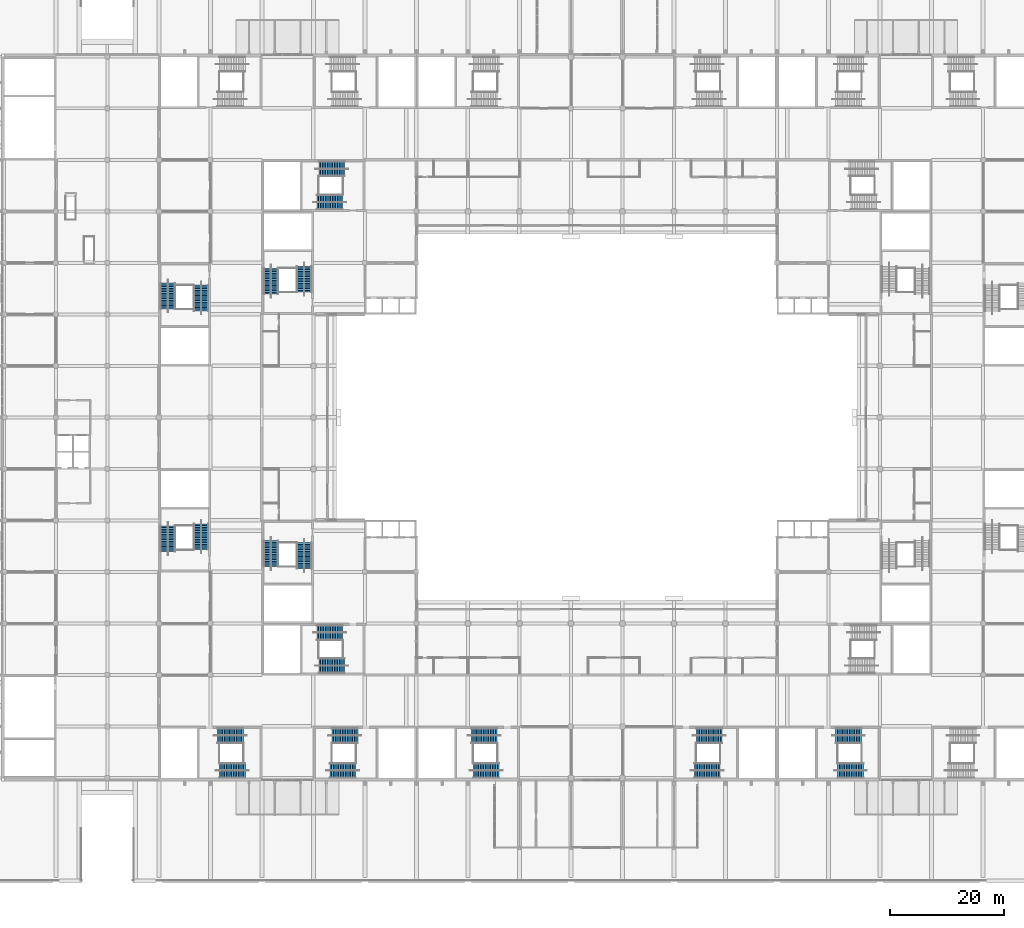
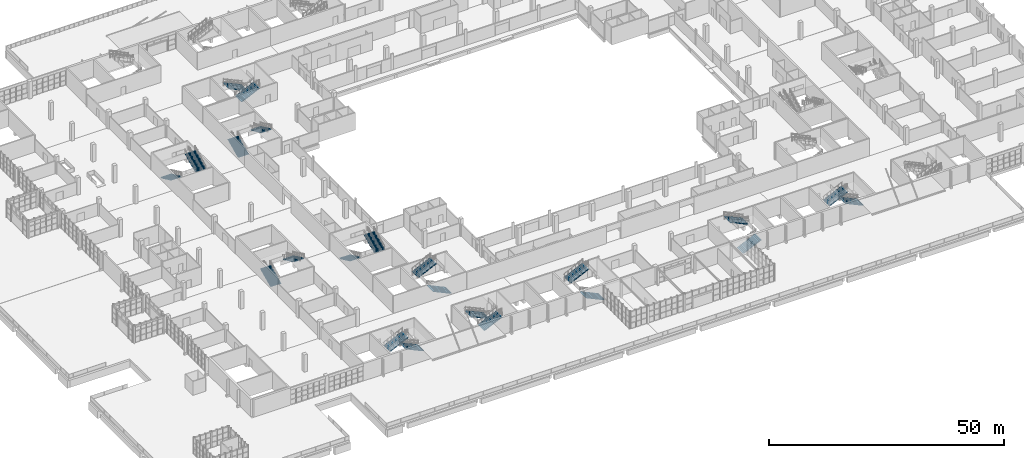
# One storey, part 109 of 168: 22 stair flights, 11 elements without a shape of their own.
"""IFC4 building model written with IfcOpenShell, lengths in metres."""

from ifc_helpers import new_model, si_unit, direction, frame, origin, place, context, subcontext, project, spatial, polyline, outline, extrude, material, type_object, element, aggregate, save


model = new_model("IFC4")

# Units and contexts
model_context = context("Model", 3, precision=1e-05, world=origin(), true_north=direction((0.0, 1.0)))
body_context = subcontext(model_context, "Body", "Model", "MODEL_VIEW")
ifc_project = project(units=[si_unit("LENGTHUNIT", "METRE"), si_unit("AREAUNIT", "SQUARE_METRE"), si_unit("VOLUMEUNIT", "CUBIC_METRE"), si_unit("PLANEANGLEUNIT", "RADIAN"), si_unit("MASSUNIT", "GRAM", prefix="KILO")], contexts=[model_context])

# Site, building, storey
site_placement = place(None, origin())
site = spatial("IfcSite", under=ifc_project, at=site_placement, CompositionType="ELEMENT")
building_placement = place(site_placement, origin())
building = spatial("IfcBuilding", under=site, at=building_placement, Name="Silverbay Arena", CompositionType="ELEMENT")
storey_placement = place(building_placement, frame((0.0, 0.0, 7.0)))
storey = spatial("IfcBuildingStorey", under=building, at=storey_placement, Name="L01", CompositionType="ELEMENT", Elevation=7.0)

# Stair, stair flights
ifc_material_1 = material(Name="Concrete Grade C45", Category="concrete")
stair_type = type_object("IfcStairType", Name="Stair 2600 wide 32 risers 140.6 x 300", PredefinedType="HALF_TURN_STAIR", material=ifc_material_1)
stair_1_placement = place(storey_placement, origin())
stair_1 = element("IfcStair", 1, at=stair_1_placement, inside=storey, type_object=stair_type, Name="Stair ST-S1 L01 to L02", PredefinedType="HALF_TURN_STAIR")
ifc_material_2 = material(Name="Concrete Grade C45", Category="concrete")
stair_flight_type = type_object("IfcStairFlightType", Name="Stair flight 2600 wide 16 risers 140.6 x 300", PredefinedType="STRAIGHT", material=ifc_material_2)
stair_flight_1_placement = place(storey_placement, frame((88.75341796875, 25.39990234375, 0.0), z_axis=(0.0, 0.0, 1.0), x_axis=(-1.0, 0.0, 0.0)))
stair_flight_1 = element("IfcStairFlight", 2, at=stair_flight_1_placement, type_object=stair_flight_type, Name="Stair ST-S1 L01 to L02 flight 1", NumberOfRisers=16, NumberOfTreads=15, PredefinedType="STRAIGHT", RiserHeight=0.140625, TreadLength=0.3, context=body_context, shape_type="SweptSolid", body=[
    extrude(outline(polyline([(0.0, 0.0), (0.0, 0.140625), (0.300048828125, 0.140625), (0.300048828125, 0.28125), (0.60009765625, 0.28125), (0.60009765625, 0.421875), (0.89990234375, 0.421875), (0.89990234375, 0.5625), (1.199951171875, 0.5625), (1.199951171875, 0.703125), (1.5, 0.703125), (1.5, 0.84375), (1.800048828125, 0.84375), (1.800048828125, 0.984375), (2.10009765625, 0.984375), (2.10009765625, 1.125), (2.39990234375, 1.125), (2.39990234375, 1.265625), (2.699951171875, 1.265625), (2.699951171875, 1.40625), (3.0, 1.40625), (3.0, 1.546875), (3.300048828125, 1.546875), (3.300048828125, 1.6875), (3.60009765625, 1.6875), (3.60009765625, 1.828125), (3.89990234375, 1.828125), (3.89990234375, 1.96875), (4.199951171875, 1.96875), (4.199951171875, 2.109375), (4.5, 2.109375), (4.5, 1.94384765625), (0.353271484375, 0.0), (0.0, 0.0)])), frame((0.0, 1.300048828125, 0.0), z_axis=(0.0, -1.0, 0.0), x_axis=(1.0, 0.0, 0.0)), (0.0, 0.0, 1.0), 2.60009765625),
])
stair_flight_2_placement = place(storey_placement, frame((83.89990234375, 19.300048828125, 2.25), z_axis=(0.0, 0.0, 1.0), x_axis=(1.0, 0.0, 0.0)))
stair_flight_2 = element("IfcStairFlight", 3, at=stair_flight_2_placement, type_object=stair_flight_type, Name="Stair ST-S1 L01 to L02 flight 2", NumberOfRisers=16, NumberOfTreads=15, PredefinedType="STRAIGHT", RiserHeight=0.140625, TreadLength=0.3, context=body_context, shape_type="SweptSolid", body=[
    extrude(outline(polyline([(0.0, 0.0), (0.0, 0.140625), (0.300048828125, 0.140625), (0.300048828125, 0.28125), (0.60009765625, 0.28125), (0.60009765625, 0.421875), (0.89990234375, 0.421875), (0.89990234375, 0.5625), (1.199951171875, 0.5625), (1.199951171875, 0.703125), (1.5, 0.703125), (1.5, 0.84375), (1.800048828125, 0.84375), (1.800048828125, 0.984375), (2.10009765625, 0.984375), (2.10009765625, 1.125), (2.39990234375, 1.125), (2.39990234375, 1.265625), (2.699951171875, 1.265625), (2.699951171875, 1.40625), (3.0, 1.40625), (3.0, 1.546875), (3.300048828125, 1.546875), (3.300048828125, 1.6875), (3.60009765625, 1.6875), (3.60009765625, 1.828125), (3.89990234375, 1.828125), (3.89990234375, 1.96875), (4.199951171875, 1.96875), (4.199951171875, 2.109375), (4.5, 2.109375), (4.5, 1.94384765625), (0.353271484375, 0.0), (0.0, 0.0)])), frame((0.0, 1.300048828125, 0.0), z_axis=(0.0, -1.0, 0.0), x_axis=(1.0, 0.0, 0.0)), (0.0, 0.0, 1.0), 2.60009765625),
])
aggregate(stair_1, [stair_flight_1, stair_flight_2])

stair_2_placement = place(storey_placement, origin())
stair_2 = element("IfcStair", 4, at=stair_2_placement, inside=storey, type_object=stair_type, Name="Stair ST-S2 L01 to L02", PredefinedType="HALF_TURN_STAIR")
stair_flight_3_placement = place(storey_placement, frame((113.453369140625, 19.300048828125, 0.0), z_axis=(0.0, 0.0, 1.0), x_axis=(-1.0, 0.0, 0.0)))
stair_flight_3 = element("IfcStairFlight", 5, at=stair_flight_3_placement, type_object=stair_flight_type, Name="Stair ST-S2 L01 to L02 flight 1", NumberOfRisers=16, NumberOfTreads=15, PredefinedType="STRAIGHT", RiserHeight=0.140625, TreadLength=0.3, context=body_context, shape_type="SweptSolid", body=[
    extrude(outline(polyline([(0.0, 0.0), (0.0, 0.140625), (0.300048828125, 0.140625), (0.300048828125, 0.28125), (0.60009765625, 0.28125), (0.60009765625, 0.421875), (0.89990234375, 0.421875), (0.89990234375, 0.5625), (1.199951171875, 0.5625), (1.199951171875, 0.703125), (1.5, 0.703125), (1.5, 0.84375), (1.800048828125, 0.84375), (1.800048828125, 0.984375), (2.10009765625, 0.984375), (2.10009765625, 1.125), (2.39990234375, 1.125), (2.39990234375, 1.265625), (2.699951171875, 1.265625), (2.699951171875, 1.40625), (3.0, 1.40625), (3.0, 1.546875), (3.300048828125, 1.546875), (3.300048828125, 1.6875), (3.60009765625, 1.6875), (3.60009765625, 1.828125), (3.89990234375, 1.828125), (3.89990234375, 1.96875), (4.199951171875, 1.96875), (4.199951171875, 2.109375), (4.5, 2.109375), (4.5, 1.94384765625), (0.353271484375, 0.0), (0.0, 0.0)])), frame((0.0, 1.300048828125, 0.0), z_axis=(0.0, -1.0, 0.0), x_axis=(1.0, 0.0, 0.0)), (0.0, 0.0, 1.0), 2.60009765625),
])
stair_flight_4_placement = place(storey_placement, frame((108.60009765625, 25.39990234375, 2.25), z_axis=(0.0, 0.0, 1.0), x_axis=(1.0, 0.0, 0.0)))
stair_flight_4 = element("IfcStairFlight", 6, at=stair_flight_4_placement, type_object=stair_flight_type, Name="Stair ST-S2 L01 to L02 flight 2", NumberOfRisers=16, NumberOfTreads=15, PredefinedType="STRAIGHT", RiserHeight=0.140625, TreadLength=0.3, context=body_context, shape_type="SweptSolid", body=[
    extrude(outline(polyline([(0.0, 0.0), (0.0, 0.140625), (0.300048828125, 0.140625), (0.300048828125, 0.28125), (0.60009765625, 0.28125), (0.60009765625, 0.421875), (0.89990234375, 0.421875), (0.89990234375, 0.5625), (1.199951171875, 0.5625), (1.199951171875, 0.703125), (1.5, 0.703125), (1.5, 0.84375), (1.800048828125, 0.84375), (1.800048828125, 0.984375), (2.10009765625, 0.984375), (2.10009765625, 1.125), (2.39990234375, 1.125), (2.39990234375, 1.265625), (2.699951171875, 1.265625), (2.699951171875, 1.40625), (3.0, 1.40625), (3.0, 1.546875), (3.300048828125, 1.546875), (3.300048828125, 1.6875), (3.60009765625, 1.6875), (3.60009765625, 1.828125), (3.89990234375, 1.828125), (3.89990234375, 1.96875), (4.199951171875, 1.96875), (4.199951171875, 2.109375), (4.5, 2.109375), (4.5, 1.94384765625), (0.353271484375, 0.0), (0.0, 0.0)])), frame((0.0, 1.300048828125, 0.0), z_axis=(0.0, -1.0, 0.0), x_axis=(1.0, 0.0, 0.0)), (0.0, 0.0, 1.0), 2.60009765625),
])
aggregate(stair_2, [stair_flight_3, stair_flight_4])

stair_3_placement = place(storey_placement, origin())
stair_3 = element("IfcStair", 7, at=stair_3_placement, inside=storey, type_object=stair_type, Name="Stair ST-S3 L01 to L02", PredefinedType="HALF_TURN_STAIR")
stair_flight_5_placement = place(storey_placement, frame((147.546630859375, 19.300048828125, 0.0), z_axis=(0.0, 0.0, 1.0), x_axis=(1.0, 0.0, 0.0)))
stair_flight_5 = element("IfcStairFlight", 8, at=stair_flight_5_placement, type_object=stair_flight_type, Name="Stair ST-S3 L01 to L02 flight 1", NumberOfRisers=16, NumberOfTreads=15, PredefinedType="STRAIGHT", RiserHeight=0.140625, TreadLength=0.3, context=body_context, shape_type="SweptSolid", body=[
    extrude(outline(polyline([(0.0, 0.0), (0.0, 0.140625), (0.300048828125, 0.140625), (0.300048828125, 0.28125), (0.60009765625, 0.28125), (0.60009765625, 0.421875), (0.89990234375, 0.421875), (0.89990234375, 0.5625), (1.199951171875, 0.5625), (1.199951171875, 0.703125), (1.5, 0.703125), (1.5, 0.84375), (1.800048828125, 0.84375), (1.800048828125, 0.984375), (2.10009765625, 0.984375), (2.10009765625, 1.125), (2.39990234375, 1.125), (2.39990234375, 1.265625), (2.699951171875, 1.265625), (2.699951171875, 1.40625), (3.0, 1.40625), (3.0, 1.546875), (3.300048828125, 1.546875), (3.300048828125, 1.6875), (3.60009765625, 1.6875), (3.60009765625, 1.828125), (3.89990234375, 1.828125), (3.89990234375, 1.96875), (4.199951171875, 1.96875), (4.199951171875, 2.109375), (4.5, 2.109375), (4.5, 1.94384765625), (0.353271484375, 0.0), (0.0, 0.0)])), frame((0.0, 1.300048828125, 0.0), z_axis=(0.0, -1.0, 0.0), x_axis=(1.0, 0.0, 0.0)), (0.0, 0.0, 1.0), 2.60009765625),
])
stair_flight_6_placement = place(storey_placement, frame((152.39990234375, 25.39990234375, 2.25), z_axis=(0.0, 0.0, 1.0), x_axis=(-1.0, 0.0, 0.0)))
stair_flight_6 = element("IfcStairFlight", 9, at=stair_flight_6_placement, type_object=stair_flight_type, Name="Stair ST-S3 L01 to L02 flight 2", NumberOfRisers=16, NumberOfTreads=15, PredefinedType="STRAIGHT", RiserHeight=0.140625, TreadLength=0.3, context=body_context, shape_type="SweptSolid", body=[
    extrude(outline(polyline([(0.0, 0.0), (0.0, 0.140625), (0.300048828125, 0.140625), (0.300048828125, 0.28125), (0.60009765625, 0.28125), (0.60009765625, 0.421875), (0.89990234375, 0.421875), (0.89990234375, 0.5625), (1.199951171875, 0.5625), (1.199951171875, 0.703125), (1.5, 0.703125), (1.5, 0.84375), (1.800048828125, 0.84375), (1.800048828125, 0.984375), (2.10009765625, 0.984375), (2.10009765625, 1.125), (2.39990234375, 1.125), (2.39990234375, 1.265625), (2.699951171875, 1.265625), (2.699951171875, 1.40625), (3.0, 1.40625), (3.0, 1.546875), (3.300048828125, 1.546875), (3.300048828125, 1.6875), (3.60009765625, 1.6875), (3.60009765625, 1.828125), (3.89990234375, 1.828125), (3.89990234375, 1.96875), (4.199951171875, 1.96875), (4.199951171875, 2.109375), (4.5, 2.109375), (4.5, 1.94384765625), (0.353271484375, 0.0), (0.0, 0.0)])), frame((0.0, 1.300048828125, 0.0), z_axis=(0.0, -1.0, 0.0), x_axis=(1.0, 0.0, 0.0)), (0.0, 0.0, 1.0), 2.60009765625),
])
aggregate(stair_3, [stair_flight_5, stair_flight_6])

stair_4_placement = place(storey_placement, origin())
stair_4 = element("IfcStair", 10, at=stair_4_placement, inside=storey, type_object=stair_type, Name="Stair ST-S4 L01 to L02", PredefinedType="HALF_TURN_STAIR")
stair_flight_7_placement = place(storey_placement, frame((172.24658203125, 25.39990234375, 0.0), z_axis=(0.0, 0.0, 1.0), x_axis=(1.0, 0.0, 0.0)))
stair_flight_7 = element("IfcStairFlight", 11, at=stair_flight_7_placement, type_object=stair_flight_type, Name="Stair ST-S4 L01 to L02 flight 1", NumberOfRisers=16, NumberOfTreads=15, PredefinedType="STRAIGHT", RiserHeight=0.140625, TreadLength=0.3, context=body_context, shape_type="SweptSolid", body=[
    extrude(outline(polyline([(0.0, 0.0), (0.0, 0.140625), (0.300048828125, 0.140625), (0.300048828125, 0.28125), (0.60009765625, 0.28125), (0.60009765625, 0.421875), (0.89990234375, 0.421875), (0.89990234375, 0.5625), (1.199951171875, 0.5625), (1.199951171875, 0.703125), (1.5, 0.703125), (1.5, 0.84375), (1.800048828125, 0.84375), (1.800048828125, 0.984375), (2.10009765625, 0.984375), (2.10009765625, 1.125), (2.39990234375, 1.125), (2.39990234375, 1.265625), (2.699951171875, 1.265625), (2.699951171875, 1.40625), (3.0, 1.40625), (3.0, 1.546875), (3.300048828125, 1.546875), (3.300048828125, 1.6875), (3.60009765625, 1.6875), (3.60009765625, 1.828125), (3.89990234375, 1.828125), (3.89990234375, 1.96875), (4.199951171875, 1.96875), (4.199951171875, 2.109375), (4.5, 2.109375), (4.5, 1.94384765625), (0.353271484375, 0.0), (0.0, 0.0)])), frame((0.0, 1.300048828125, 0.0), z_axis=(0.0, -1.0, 0.0), x_axis=(1.0, 0.0, 0.0)), (0.0, 0.0, 1.0), 2.60009765625),
])
stair_flight_8_placement = place(storey_placement, frame((177.10009765625, 19.300048828125, 2.25), z_axis=(0.0, 0.0, 1.0), x_axis=(-1.0, 0.0, 0.0)))
stair_flight_8 = element("IfcStairFlight", 12, at=stair_flight_8_placement, type_object=stair_flight_type, Name="Stair ST-S4 L01 to L02 flight 2", NumberOfRisers=16, NumberOfTreads=15, PredefinedType="STRAIGHT", RiserHeight=0.140625, TreadLength=0.3, context=body_context, shape_type="SweptSolid", body=[
    extrude(outline(polyline([(0.0, 0.0), (0.0, 0.140625), (0.300048828125, 0.140625), (0.300048828125, 0.28125), (0.60009765625, 0.28125), (0.60009765625, 0.421875), (0.89990234375, 0.421875), (0.89990234375, 0.5625), (1.199951171875, 0.5625), (1.199951171875, 0.703125), (1.5, 0.703125), (1.5, 0.84375), (1.800048828125, 0.84375), (1.800048828125, 0.984375), (2.10009765625, 0.984375), (2.10009765625, 1.125), (2.39990234375, 1.125), (2.39990234375, 1.265625), (2.699951171875, 1.265625), (2.699951171875, 1.40625), (3.0, 1.40625), (3.0, 1.546875), (3.300048828125, 1.546875), (3.300048828125, 1.6875), (3.60009765625, 1.6875), (3.60009765625, 1.828125), (3.89990234375, 1.828125), (3.89990234375, 1.96875), (4.199951171875, 1.96875), (4.199951171875, 2.109375), (4.5, 2.109375), (4.5, 1.94384765625), (0.353271484375, 0.0), (0.0, 0.0)])), frame((0.0, 1.300048828125, 0.0), z_axis=(0.0, -1.0, 0.0), x_axis=(1.0, 0.0, 0.0)), (0.0, 0.0, 1.0), 2.60009765625),
])
aggregate(stair_4, [stair_flight_7, stair_flight_8])

stair_5_placement = place(storey_placement, origin())
stair_5 = element("IfcStair", 13, at=stair_5_placement, inside=storey, type_object=stair_type, Name="Stair ST-S5 L01 to L02", PredefinedType="HALF_TURN_STAIR")
stair_flight_9_placement = place(storey_placement, frame((64.24658203125, 25.39990234375, 0.0), z_axis=(0.0, 0.0, 1.0), x_axis=(1.0, 0.0, 0.0)))
stair_flight_9 = element("IfcStairFlight", 14, at=stair_flight_9_placement, type_object=stair_flight_type, Name="Stair ST-S5 L01 to L02 flight 1", NumberOfRisers=16, NumberOfTreads=15, PredefinedType="STRAIGHT", RiserHeight=0.140625, TreadLength=0.3, context=body_context, shape_type="SweptSolid", body=[
    extrude(outline(polyline([(0.0, 0.0), (0.0, 0.140625), (0.300048828125, 0.140625), (0.300048828125, 0.28125), (0.60009765625, 0.28125), (0.60009765625, 0.421875), (0.89990234375, 0.421875), (0.89990234375, 0.5625), (1.199951171875, 0.5625), (1.199951171875, 0.703125), (1.5, 0.703125), (1.5, 0.84375), (1.800048828125, 0.84375), (1.800048828125, 0.984375), (2.10009765625, 0.984375), (2.10009765625, 1.125), (2.39990234375, 1.125), (2.39990234375, 1.265625), (2.699951171875, 1.265625), (2.699951171875, 1.40625), (3.0, 1.40625), (3.0, 1.546875), (3.300048828125, 1.546875), (3.300048828125, 1.6875), (3.60009765625, 1.6875), (3.60009765625, 1.828125), (3.89990234375, 1.828125), (3.89990234375, 1.96875), (4.199951171875, 1.96875), (4.199951171875, 2.109375), (4.5, 2.109375), (4.5, 1.94384765625), (0.353271484375, 0.0), (0.0, 0.0)])), frame((0.0, 1.300048828125, 0.0), z_axis=(0.0, -1.0, 0.0), x_axis=(1.0, 0.0, 0.0)), (0.0, 0.0, 1.0), 2.60009765625),
])
stair_flight_10_placement = place(storey_placement, frame((69.10009765625, 19.300048828125, 2.25), z_axis=(0.0, 0.0, 1.0), x_axis=(-1.0, 0.0, 0.0)))
stair_flight_10 = element("IfcStairFlight", 15, at=stair_flight_10_placement, type_object=stair_flight_type, Name="Stair ST-S5 L01 to L02 flight 2", NumberOfRisers=16, NumberOfTreads=15, PredefinedType="STRAIGHT", RiserHeight=0.140625, TreadLength=0.3, context=body_context, shape_type="SweptSolid", body=[
    extrude(outline(polyline([(0.0, 0.0), (0.0, 0.140625), (0.300048828125, 0.140625), (0.300048828125, 0.28125), (0.60009765625, 0.28125), (0.60009765625, 0.421875), (0.89990234375, 0.421875), (0.89990234375, 0.5625), (1.199951171875, 0.5625), (1.199951171875, 0.703125), (1.5, 0.703125), (1.5, 0.84375), (1.800048828125, 0.84375), (1.800048828125, 0.984375), (2.10009765625, 0.984375), (2.10009765625, 1.125), (2.39990234375, 1.125), (2.39990234375, 1.265625), (2.699951171875, 1.265625), (2.699951171875, 1.40625), (3.0, 1.40625), (3.0, 1.546875), (3.300048828125, 1.546875), (3.300048828125, 1.6875), (3.60009765625, 1.6875), (3.60009765625, 1.828125), (3.89990234375, 1.828125), (3.89990234375, 1.96875), (4.199951171875, 1.96875), (4.199951171875, 2.109375), (4.5, 2.109375), (4.5, 1.94384765625), (0.353271484375, 0.0), (0.0, 0.0)])), frame((0.0, 1.300048828125, 0.0), z_axis=(0.0, -1.0, 0.0), x_axis=(1.0, 0.0, 0.0)), (0.0, 0.0, 1.0), 2.60009765625),
])
aggregate(stair_5, [stair_flight_9, stair_flight_10])

stair_6_placement = place(storey_placement, origin())
stair_6 = element("IfcStair", 16, at=stair_6_placement, inside=storey, type_object=stair_type, Name="Stair ST-W1 L01 to L02", PredefinedType="HALF_TURN_STAIR")
stair_flight_11_placement = place(storey_placement, frame((55.60009765625, 57.546630859375, 0.0), z_axis=(0.0, 0.0, 1.0), x_axis=(0.0, 1.0, 0.0)))
stair_flight_11 = element("IfcStairFlight", 17, at=stair_flight_11_placement, type_object=stair_flight_type, Name="Stair ST-W1 L01 to L02 flight 1", NumberOfRisers=16, NumberOfTreads=15, PredefinedType="STRAIGHT", RiserHeight=0.140625, TreadLength=0.3, context=body_context, shape_type="SweptSolid", body=[
    extrude(outline(polyline([(0.0, 0.0), (0.0, 0.140625), (0.300048828125, 0.140625), (0.300048828125, 0.28125), (0.60009765625, 0.28125), (0.60009765625, 0.421875), (0.89990234375, 0.421875), (0.89990234375, 0.5625), (1.199951171875, 0.5625), (1.199951171875, 0.703125), (1.5, 0.703125), (1.5, 0.84375), (1.800048828125, 0.84375), (1.800048828125, 0.984375), (2.10009765625, 0.984375), (2.10009765625, 1.125), (2.39990234375, 1.125), (2.39990234375, 1.265625), (2.699951171875, 1.265625), (2.699951171875, 1.40625), (3.0, 1.40625), (3.0, 1.546875), (3.300048828125, 1.546875), (3.300048828125, 1.6875), (3.60009765625, 1.6875), (3.60009765625, 1.828125), (3.89990234375, 1.828125), (3.89990234375, 1.96875), (4.199951171875, 1.96875), (4.199951171875, 2.109375), (4.5, 2.109375), (4.5, 1.94384765625), (0.353271484375, 0.0), (0.0, 0.0)])), frame((0.0, 1.300048828125, 0.0), z_axis=(0.0, -1.0, 0.0), x_axis=(1.0, 0.0, 0.0)), (0.0, 0.0, 1.0), 2.60009765625),
])
stair_flight_12_placement = place(storey_placement, frame((61.39990234375, 62.39990234375, 2.25), z_axis=(0.0, 0.0, 1.0), x_axis=(0.0, -1.0, 0.0)))
stair_flight_12 = element("IfcStairFlight", 18, at=stair_flight_12_placement, type_object=stair_flight_type, Name="Stair ST-W1 L01 to L02 flight 2", NumberOfRisers=16, NumberOfTreads=15, PredefinedType="STRAIGHT", RiserHeight=0.140625, TreadLength=0.3, context=body_context, shape_type="SweptSolid", body=[
    extrude(outline(polyline([(0.0, 0.0), (0.0, 0.140625), (0.300048828125, 0.140625), (0.300048828125, 0.28125), (0.60009765625, 0.28125), (0.60009765625, 0.421875), (0.89990234375, 0.421875), (0.89990234375, 0.5625), (1.199951171875, 0.5625), (1.199951171875, 0.703125), (1.5, 0.703125), (1.5, 0.84375), (1.800048828125, 0.84375), (1.800048828125, 0.984375), (2.10009765625, 0.984375), (2.10009765625, 1.125), (2.39990234375, 1.125), (2.39990234375, 1.265625), (2.699951171875, 1.265625), (2.699951171875, 1.40625), (3.0, 1.40625), (3.0, 1.546875), (3.300048828125, 1.546875), (3.300048828125, 1.6875), (3.60009765625, 1.6875), (3.60009765625, 1.828125), (3.89990234375, 1.828125), (3.89990234375, 1.96875), (4.199951171875, 1.96875), (4.199951171875, 2.109375), (4.5, 2.109375), (4.5, 1.94384765625), (0.353271484375, 0.0), (0.0, 0.0)])), frame((0.0, 1.300048828125, 0.0), z_axis=(0.0, -1.0, 0.0), x_axis=(1.0, 0.0, 0.0)), (0.0, 0.0, 1.0), 2.60009765625),
])
aggregate(stair_6, [stair_flight_11, stair_flight_12])

stair_7_placement = place(storey_placement, origin())
stair_7 = element("IfcStair", 19, at=stair_7_placement, inside=storey, type_object=stair_type, Name="Stair ST-W2 L01 to L02", PredefinedType="HALF_TURN_STAIR")
stair_flight_13_placement = place(storey_placement, frame((55.60009765625, 104.453369140625, 0.0), z_axis=(0.0, 0.0, 1.0), x_axis=(0.0, -1.0, 0.0)))
stair_flight_13 = element("IfcStairFlight", 20, at=stair_flight_13_placement, type_object=stair_flight_type, Name="Stair ST-W2 L01 to L02 flight 1", NumberOfRisers=16, NumberOfTreads=15, PredefinedType="STRAIGHT", RiserHeight=0.140625, TreadLength=0.3, context=body_context, shape_type="SweptSolid", body=[
    extrude(outline(polyline([(0.0, 0.0), (0.0, 0.140625), (0.300048828125, 0.140625), (0.300048828125, 0.28125), (0.60009765625, 0.28125), (0.60009765625, 0.421875), (0.89990234375, 0.421875), (0.89990234375, 0.5625), (1.199951171875, 0.5625), (1.199951171875, 0.703125), (1.5, 0.703125), (1.5, 0.84375), (1.800048828125, 0.84375), (1.800048828125, 0.984375), (2.10009765625, 0.984375), (2.10009765625, 1.125), (2.39990234375, 1.125), (2.39990234375, 1.265625), (2.699951171875, 1.265625), (2.699951171875, 1.40625), (3.0, 1.40625), (3.0, 1.546875), (3.300048828125, 1.546875), (3.300048828125, 1.6875), (3.60009765625, 1.6875), (3.60009765625, 1.828125), (3.89990234375, 1.828125), (3.89990234375, 1.96875), (4.199951171875, 1.96875), (4.199951171875, 2.109375), (4.5, 2.109375), (4.5, 1.94384765625), (0.353271484375, 0.0), (0.0, 0.0)])), frame((0.0, 1.300048828125, 0.0), z_axis=(0.0, -1.0, 0.0), x_axis=(1.0, 0.0, 0.0)), (0.0, 0.0, 1.0), 2.60009765625),
])
stair_flight_14_placement = place(storey_placement, frame((61.39990234375, 99.60009765625, 2.25), z_axis=(0.0, 0.0, 1.0), x_axis=(0.0, 1.0, 0.0)))
stair_flight_14 = element("IfcStairFlight", 21, at=stair_flight_14_placement, type_object=stair_flight_type, Name="Stair ST-W2 L01 to L02 flight 2", NumberOfRisers=16, NumberOfTreads=15, PredefinedType="STRAIGHT", RiserHeight=0.140625, TreadLength=0.3, context=body_context, shape_type="SweptSolid", body=[
    extrude(outline(polyline([(0.0, 0.0), (0.0, 0.140625), (0.300048828125, 0.140625), (0.300048828125, 0.28125), (0.60009765625, 0.28125), (0.60009765625, 0.421875), (0.89990234375, 0.421875), (0.89990234375, 0.5625), (1.199951171875, 0.5625), (1.199951171875, 0.703125), (1.5, 0.703125), (1.5, 0.84375), (1.800048828125, 0.84375), (1.800048828125, 0.984375), (2.10009765625, 0.984375), (2.10009765625, 1.125), (2.39990234375, 1.125), (2.39990234375, 1.265625), (2.699951171875, 1.265625), (2.699951171875, 1.40625), (3.0, 1.40625), (3.0, 1.546875), (3.300048828125, 1.546875), (3.300048828125, 1.6875), (3.60009765625, 1.6875), (3.60009765625, 1.828125), (3.89990234375, 1.828125), (3.89990234375, 1.96875), (4.199951171875, 1.96875), (4.199951171875, 2.109375), (4.5, 2.109375), (4.5, 1.94384765625), (0.353271484375, 0.0), (0.0, 0.0)])), frame((0.0, 1.300048828125, 0.0), z_axis=(0.0, -1.0, 0.0), x_axis=(1.0, 0.0, 0.0)), (0.0, 0.0, 1.0), 2.60009765625),
])
aggregate(stair_7, [stair_flight_13, stair_flight_14])

stair_8_placement = place(storey_placement, origin())
stair_8 = element("IfcStair", 22, at=stair_8_placement, inside=storey, type_object=stair_type, Name="Stair ST-SW1 L01 to L02", PredefinedType="HALF_TURN_STAIR")
stair_flight_15_placement = place(storey_placement, frame((86.453369140625, 37.60009765625, 0.0), z_axis=(0.0, 0.0, 1.0), x_axis=(-1.0, 0.0, 0.0)))
stair_flight_15 = element("IfcStairFlight", 23, at=stair_flight_15_placement, type_object=stair_flight_type, Name="Stair ST-SW1 L01 to L02 flight 1", NumberOfRisers=16, NumberOfTreads=15, PredefinedType="STRAIGHT", RiserHeight=0.140625, TreadLength=0.3, context=body_context, shape_type="SweptSolid", body=[
    extrude(outline(polyline([(0.0, 0.0), (0.0, 0.140625), (0.300048828125, 0.140625), (0.300048828125, 0.28125), (0.60009765625, 0.28125), (0.60009765625, 0.421875), (0.89990234375, 0.421875), (0.89990234375, 0.5625), (1.199951171875, 0.5625), (1.199951171875, 0.703125), (1.5, 0.703125), (1.5, 0.84375), (1.800048828125, 0.84375), (1.800048828125, 0.984375), (2.10009765625, 0.984375), (2.10009765625, 1.125), (2.39990234375, 1.125), (2.39990234375, 1.265625), (2.699951171875, 1.265625), (2.699951171875, 1.40625), (3.0, 1.40625), (3.0, 1.546875), (3.300048828125, 1.546875), (3.300048828125, 1.6875), (3.60009765625, 1.6875), (3.60009765625, 1.828125), (3.89990234375, 1.828125), (3.89990234375, 1.96875), (4.199951171875, 1.96875), (4.199951171875, 2.109375), (4.5, 2.109375), (4.5, 1.94384765625), (0.353271484375, 0.0), (0.0, 0.0)])), frame((0.0, 1.300048828125, 0.0), z_axis=(0.0, -1.0, 0.0), x_axis=(1.0, 0.0, 0.0)), (0.0, 0.0, 1.0), 2.60009765625),
])
stair_flight_16_placement = place(storey_placement, frame((81.60009765625, 43.39990234375, 2.25), z_axis=(0.0, 0.0, 1.0), x_axis=(1.0, 0.0, 0.0)))
stair_flight_16 = element("IfcStairFlight", 24, at=stair_flight_16_placement, type_object=stair_flight_type, Name="Stair ST-SW1 L01 to L02 flight 2", NumberOfRisers=16, NumberOfTreads=15, PredefinedType="STRAIGHT", RiserHeight=0.140625, TreadLength=0.3, context=body_context, shape_type="SweptSolid", body=[
    extrude(outline(polyline([(0.0, 0.0), (0.0, 0.140625), (0.300048828125, 0.140625), (0.300048828125, 0.28125), (0.60009765625, 0.28125), (0.60009765625, 0.421875), (0.89990234375, 0.421875), (0.89990234375, 0.5625), (1.199951171875, 0.5625), (1.199951171875, 0.703125), (1.5, 0.703125), (1.5, 0.84375), (1.800048828125, 0.84375), (1.800048828125, 0.984375), (2.10009765625, 0.984375), (2.10009765625, 1.125), (2.39990234375, 1.125), (2.39990234375, 1.265625), (2.699951171875, 1.265625), (2.699951171875, 1.40625), (3.0, 1.40625), (3.0, 1.546875), (3.300048828125, 1.546875), (3.300048828125, 1.6875), (3.60009765625, 1.6875), (3.60009765625, 1.828125), (3.89990234375, 1.828125), (3.89990234375, 1.96875), (4.199951171875, 1.96875), (4.199951171875, 2.109375), (4.5, 2.109375), (4.5, 1.94384765625), (0.353271484375, 0.0), (0.0, 0.0)])), frame((0.0, 1.300048828125, 0.0), z_axis=(0.0, -1.0, 0.0), x_axis=(1.0, 0.0, 0.0)), (0.0, 0.0, 1.0), 2.60009765625),
])
aggregate(stair_8, [stair_flight_15, stair_flight_16])

stair_9_placement = place(storey_placement, origin())
stair_9 = element("IfcStair", 25, at=stair_9_placement, inside=storey, type_object=stair_type, Name="Stair ST-SW2 L01 to L02", PredefinedType="HALF_TURN_STAIR")
stair_flight_17_placement = place(storey_placement, frame((73.60009765625, 59.453369140625, 0.0), z_axis=(0.0, 0.0, 1.0), x_axis=(0.0, -1.0, 0.0)))
stair_flight_17 = element("IfcStairFlight", 26, at=stair_flight_17_placement, type_object=stair_flight_type, Name="Stair ST-SW2 L01 to L02 flight 1", NumberOfRisers=16, NumberOfTreads=15, PredefinedType="STRAIGHT", RiserHeight=0.140625, TreadLength=0.3, context=body_context, shape_type="SweptSolid", body=[
    extrude(outline(polyline([(0.0, 0.0), (0.0, 0.140625), (0.300048828125, 0.140625), (0.300048828125, 0.28125), (0.60009765625, 0.28125), (0.60009765625, 0.421875), (0.89990234375, 0.421875), (0.89990234375, 0.5625), (1.199951171875, 0.5625), (1.199951171875, 0.703125), (1.5, 0.703125), (1.5, 0.84375), (1.800048828125, 0.84375), (1.800048828125, 0.984375), (2.10009765625, 0.984375), (2.10009765625, 1.125), (2.39990234375, 1.125), (2.39990234375, 1.265625), (2.699951171875, 1.265625), (2.699951171875, 1.40625), (3.0, 1.40625), (3.0, 1.546875), (3.300048828125, 1.546875), (3.300048828125, 1.6875), (3.60009765625, 1.6875), (3.60009765625, 1.828125), (3.89990234375, 1.828125), (3.89990234375, 1.96875), (4.199951171875, 1.96875), (4.199951171875, 2.109375), (4.5, 2.109375), (4.5, 1.94384765625), (0.353271484375, 0.0), (0.0, 0.0)])), frame((0.0, 1.300048828125, 0.0), z_axis=(0.0, -1.0, 0.0), x_axis=(1.0, 0.0, 0.0)), (0.0, 0.0, 1.0), 2.60009765625),
])
stair_flight_18_placement = place(storey_placement, frame((79.39990234375, 54.60009765625, 2.25), z_axis=(0.0, 0.0, 1.0), x_axis=(0.0, 1.0, 0.0)))
stair_flight_18 = element("IfcStairFlight", 27, at=stair_flight_18_placement, type_object=stair_flight_type, Name="Stair ST-SW2 L01 to L02 flight 2", NumberOfRisers=16, NumberOfTreads=15, PredefinedType="STRAIGHT", RiserHeight=0.140625, TreadLength=0.3, context=body_context, shape_type="SweptSolid", body=[
    extrude(outline(polyline([(0.0, 0.0), (0.0, 0.140625), (0.300048828125, 0.140625), (0.300048828125, 0.28125), (0.60009765625, 0.28125), (0.60009765625, 0.421875), (0.89990234375, 0.421875), (0.89990234375, 0.5625), (1.199951171875, 0.5625), (1.199951171875, 0.703125), (1.5, 0.703125), (1.5, 0.84375), (1.800048828125, 0.84375), (1.800048828125, 0.984375), (2.10009765625, 0.984375), (2.10009765625, 1.125), (2.39990234375, 1.125), (2.39990234375, 1.265625), (2.699951171875, 1.265625), (2.699951171875, 1.40625), (3.0, 1.40625), (3.0, 1.546875), (3.300048828125, 1.546875), (3.300048828125, 1.6875), (3.60009765625, 1.6875), (3.60009765625, 1.828125), (3.89990234375, 1.828125), (3.89990234375, 1.96875), (4.199951171875, 1.96875), (4.199951171875, 2.109375), (4.5, 2.109375), (4.5, 1.94384765625), (0.353271484375, 0.0), (0.0, 0.0)])), frame((0.0, 1.300048828125, 0.0), z_axis=(0.0, -1.0, 0.0), x_axis=(1.0, 0.0, 0.0)), (0.0, 0.0, 1.0), 2.60009765625),
])
aggregate(stair_9, [stair_flight_17, stair_flight_18])

stair_10_placement = place(storey_placement, origin())
stair_10 = element("IfcStair", 28, at=stair_10_placement, inside=storey, type_object=stair_type, Name="Stair ST-NW1 L01 to L02", PredefinedType="HALF_TURN_STAIR")
stair_flight_19_placement = place(storey_placement, frame((86.453369140625, 124.39990234375, 0.0), z_axis=(0.0, 0.0, 1.0), x_axis=(-1.0, 0.0, 0.0)))
stair_flight_19 = element("IfcStairFlight", 29, at=stair_flight_19_placement, type_object=stair_flight_type, Name="Stair ST-NW1 L01 to L02 flight 1", NumberOfRisers=16, NumberOfTreads=15, PredefinedType="STRAIGHT", RiserHeight=0.140625, TreadLength=0.3, context=body_context, shape_type="SweptSolid", body=[
    extrude(outline(polyline([(0.0, 0.0), (0.0, 0.140625), (0.300048828125, 0.140625), (0.300048828125, 0.28125), (0.60009765625, 0.28125), (0.60009765625, 0.421875), (0.89990234375, 0.421875), (0.89990234375, 0.5625), (1.199951171875, 0.5625), (1.199951171875, 0.703125), (1.5, 0.703125), (1.5, 0.84375), (1.800048828125, 0.84375), (1.800048828125, 0.984375), (2.10009765625, 0.984375), (2.10009765625, 1.125), (2.39990234375, 1.125), (2.39990234375, 1.265625), (2.699951171875, 1.265625), (2.699951171875, 1.40625), (3.0, 1.40625), (3.0, 1.546875), (3.300048828125, 1.546875), (3.300048828125, 1.6875), (3.60009765625, 1.6875), (3.60009765625, 1.828125), (3.89990234375, 1.828125), (3.89990234375, 1.96875), (4.199951171875, 1.96875), (4.199951171875, 2.109375), (4.5, 2.109375), (4.5, 1.94384765625), (0.353271484375, 0.0), (0.0, 0.0)])), frame((0.0, 1.300048828125, 0.0), z_axis=(0.0, -1.0, 0.0), x_axis=(1.0, 0.0, 0.0)), (0.0, 0.0, 1.0), 2.60009765625),
])
stair_flight_20_placement = place(storey_placement, frame((81.60009765625, 118.60009765625, 2.25), z_axis=(0.0, 0.0, 1.0), x_axis=(1.0, 0.0, 0.0)))
stair_flight_20 = element("IfcStairFlight", 30, at=stair_flight_20_placement, type_object=stair_flight_type, Name="Stair ST-NW1 L01 to L02 flight 2", NumberOfRisers=16, NumberOfTreads=15, PredefinedType="STRAIGHT", RiserHeight=0.140625, TreadLength=0.3, context=body_context, shape_type="SweptSolid", body=[
    extrude(outline(polyline([(0.0, 0.0), (0.0, 0.140625), (0.300048828125, 0.140625), (0.300048828125, 0.28125), (0.60009765625, 0.28125), (0.60009765625, 0.421875), (0.89990234375, 0.421875), (0.89990234375, 0.5625), (1.199951171875, 0.5625), (1.199951171875, 0.703125), (1.5, 0.703125), (1.5, 0.84375), (1.800048828125, 0.84375), (1.800048828125, 0.984375), (2.10009765625, 0.984375), (2.10009765625, 1.125), (2.39990234375, 1.125), (2.39990234375, 1.265625), (2.699951171875, 1.265625), (2.699951171875, 1.40625), (3.0, 1.40625), (3.0, 1.546875), (3.300048828125, 1.546875), (3.300048828125, 1.6875), (3.60009765625, 1.6875), (3.60009765625, 1.828125), (3.89990234375, 1.828125), (3.89990234375, 1.96875), (4.199951171875, 1.96875), (4.199951171875, 2.109375), (4.5, 2.109375), (4.5, 1.94384765625), (0.353271484375, 0.0), (0.0, 0.0)])), frame((0.0, 1.300048828125, 0.0), z_axis=(0.0, -1.0, 0.0), x_axis=(1.0, 0.0, 0.0)), (0.0, 0.0, 1.0), 2.60009765625),
])
aggregate(stair_10, [stair_flight_19, stair_flight_20])

stair_11_placement = place(storey_placement, origin())
stair_11 = element("IfcStair", 31, at=stair_11_placement, inside=storey, type_object=stair_type, Name="Stair ST-NW2 L01 to L02", PredefinedType="HALF_TURN_STAIR")
stair_flight_21_placement = place(storey_placement, frame((73.60009765625, 102.546630859375, 0.0), z_axis=(0.0, 0.0, 1.0), x_axis=(0.0, 1.0, 0.0)))
stair_flight_21 = element("IfcStairFlight", 32, at=stair_flight_21_placement, type_object=stair_flight_type, Name="Stair ST-NW2 L01 to L02 flight 1", NumberOfRisers=16, NumberOfTreads=15, PredefinedType="STRAIGHT", RiserHeight=0.140625, TreadLength=0.3, context=body_context, shape_type="SweptSolid", body=[
    extrude(outline(polyline([(0.0, 0.0), (0.0, 0.140625), (0.300048828125, 0.140625), (0.300048828125, 0.28125), (0.60009765625, 0.28125), (0.60009765625, 0.421875), (0.89990234375, 0.421875), (0.89990234375, 0.5625), (1.199951171875, 0.5625), (1.199951171875, 0.703125), (1.5, 0.703125), (1.5, 0.84375), (1.800048828125, 0.84375), (1.800048828125, 0.984375), (2.10009765625, 0.984375), (2.10009765625, 1.125), (2.39990234375, 1.125), (2.39990234375, 1.265625), (2.699951171875, 1.265625), (2.699951171875, 1.40625), (3.0, 1.40625), (3.0, 1.546875), (3.300048828125, 1.546875), (3.300048828125, 1.6875), (3.60009765625, 1.6875), (3.60009765625, 1.828125), (3.89990234375, 1.828125), (3.89990234375, 1.96875), (4.199951171875, 1.96875), (4.199951171875, 2.109375), (4.5, 2.109375), (4.5, 1.94384765625), (0.353271484375, 0.0), (0.0, 0.0)])), frame((0.0, 1.300048828125, 0.0), z_axis=(0.0, -1.0, 0.0), x_axis=(1.0, 0.0, 0.0)), (0.0, 0.0, 1.0), 2.60009765625),
])
stair_flight_22_placement = place(storey_placement, frame((79.39990234375, 107.39990234375, 2.25), z_axis=(0.0, 0.0, 1.0), x_axis=(0.0, -1.0, 0.0)))
stair_flight_22 = element("IfcStairFlight", 33, at=stair_flight_22_placement, type_object=stair_flight_type, Name="Stair ST-NW2 L01 to L02 flight 2", NumberOfRisers=16, NumberOfTreads=15, PredefinedType="STRAIGHT", RiserHeight=0.140625, TreadLength=0.3, context=body_context, shape_type="SweptSolid", body=[
    extrude(outline(polyline([(0.0, 0.0), (0.0, 0.140625), (0.300048828125, 0.140625), (0.300048828125, 0.28125), (0.60009765625, 0.28125), (0.60009765625, 0.421875), (0.89990234375, 0.421875), (0.89990234375, 0.5625), (1.199951171875, 0.5625), (1.199951171875, 0.703125), (1.5, 0.703125), (1.5, 0.84375), (1.800048828125, 0.84375), (1.800048828125, 0.984375), (2.10009765625, 0.984375), (2.10009765625, 1.125), (2.39990234375, 1.125), (2.39990234375, 1.265625), (2.699951171875, 1.265625), (2.699951171875, 1.40625), (3.0, 1.40625), (3.0, 1.546875), (3.300048828125, 1.546875), (3.300048828125, 1.6875), (3.60009765625, 1.6875), (3.60009765625, 1.828125), (3.89990234375, 1.828125), (3.89990234375, 1.96875), (4.199951171875, 1.96875), (4.199951171875, 2.109375), (4.5, 2.109375), (4.5, 1.94384765625), (0.353271484375, 0.0), (0.0, 0.0)])), frame((0.0, 1.300048828125, 0.0), z_axis=(0.0, -1.0, 0.0), x_axis=(1.0, 0.0, 0.0)), (0.0, 0.0, 1.0), 2.60009765625),
])
aggregate(stair_11, [stair_flight_21, stair_flight_22])

save(model, "model.ifc")
